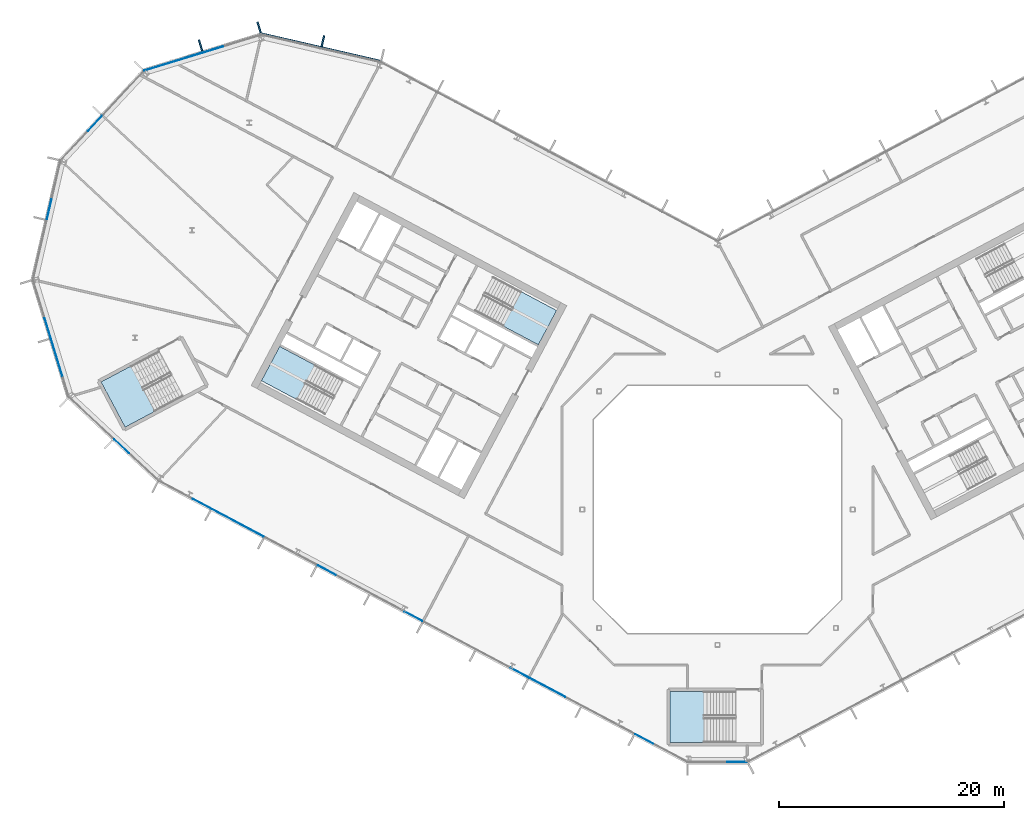
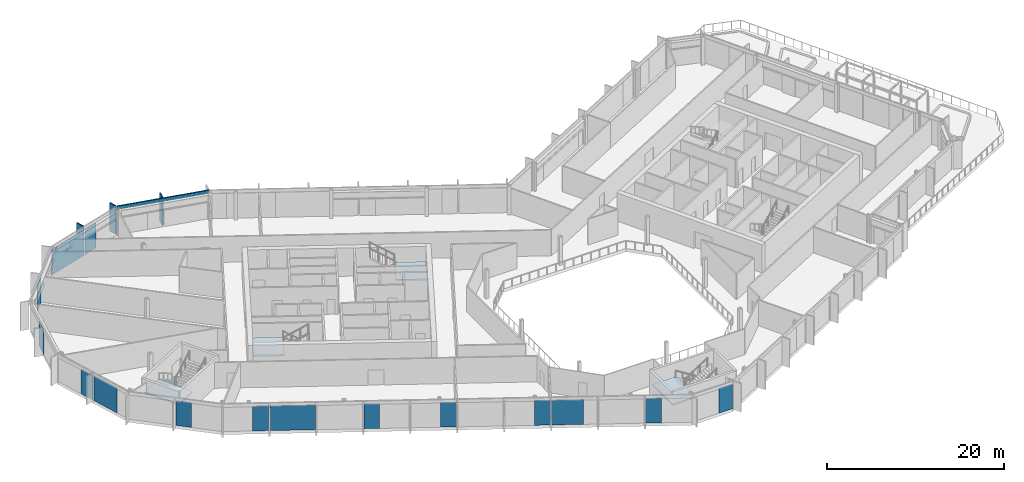
# One storey, part 13 of 31: 15 plates, 4 members, 4 slabs, 12 elements without a shape of their own.
"""IFC4 building model written with IfcOpenShell, lengths in metres."""

from ifc_helpers import new_model, si_unit, direction, frame, origin, origin_2d, place, context, subcontext, project, spatial, polyline, rectangle, outline, extrude, material, layer, layer_set, material_profile, profile_set, type_object, element, aggregate, save


model = new_model("IFC4")

# Units and contexts
model_context = context("Model", 3, precision=1e-05, world=origin(), true_north=direction((0.0, 1.0)))
body_context = subcontext(model_context, "Body", "Model", "MODEL_VIEW")
ifc_project = project(units=[si_unit("LENGTHUNIT", "METRE"), si_unit("AREAUNIT", "SQUARE_METRE"), si_unit("VOLUMEUNIT", "CUBIC_METRE"), si_unit("PLANEANGLEUNIT", "RADIAN"), si_unit("MASSUNIT", "GRAM", prefix="KILO")], contexts=[model_context])

# Site, building, storey
site_placement = place(None, origin())
site = spatial("IfcSite", under=ifc_project, at=site_placement, CompositionType="ELEMENT")
building_placement = place(site_placement, origin())
building = spatial("IfcBuilding", under=site, at=building_placement, Name="Cormorant Relay Tower", CompositionType="ELEMENT")
storey_placement = place(building_placement, frame((0.0, 0.0, 189.60009765625)))
storey = spatial("IfcBuildingStorey", under=building, at=storey_placement, Name="L40", CompositionType="ELEMENT", Elevation=189.60009765625)

# Curtain wall, member
ifc_material_1 = material(Name="Aluminium 6063-T6 anodised bronze", Category="aluminium")
ifc_layer_1 = layer(ifc_material_1, 0.199951171875)
ifc_layer_set_1 = layer_set([ifc_layer_1], Name="CW1 unitised bronze curtain wall with vertical fins")
curtain_wall_type = type_object("IfcCurtainWallType", Name="CW1 unitised bronze curtain wall with vertical fins", PredefinedType="NOTDEFINED", material=ifc_layer_set_1)
curtain_wall_1_placement = place(storey_placement, origin())
curtain_wall_1 = element("IfcCurtainWall", 1, at=curtain_wall_1_placement, inside=storey, type_object=curtain_wall_type, Name="CW1 curtain wall 10", PredefinedType="NOTDEFINED")
ifc_material_2 = material(Name="Aluminium 6063-T6 anodised bronze", Category="aluminium")
ifc_material_profile_1 = material_profile(ifc_material_2, rectangle(XDim=0.14990234375, YDim=1.0, at=origin_2d()), Name="AL 150x1000")
ifc_profile_set_1 = profile_set([ifc_material_profile_1], Name="Aluminium 6063-T6 anodised bronze")
member_type_1 = type_object("IfcMemberType", Name="CW1 bronze fin mullion 150 x 1000", PredefinedType="MULLION", material=ifc_profile_set_1)
member_1_placement = place(storey_placement, frame((-35.01220703125, 41.57275390625, 0.0), z_axis=(0.0, 0.0, 1.0), x_axis=(-0.974370064785, 0.224951054344, 0.0)))
member_1 = element("IfcMember", 2, at=member_1_placement, type_object=member_type_1, Name="CW1 fin 10.2", PredefinedType="MULLION", context=body_context, shape_type="SweptSolid", body=[
    extrude(rectangle(XDim=0.14990234375, YDim=1.0, at=origin_2d()), origin(), (0.0, 0.0, 1.0), 3.89990234375),
])

# Curtain wall, members
curtain_wall_2_placement = place(storey_placement, origin())
curtain_wall_2 = element("IfcCurtainWall", 3, at=curtain_wall_2_placement, inside=storey, type_object=curtain_wall_type, Name="CW1 curtain wall 11", PredefinedType="NOTDEFINED")
member_2_placement = place(storey_placement, frame((-40.670166015625, 42.78271484375, 0.0), z_axis=(0.0, 0.0, 1.0), x_axis=(-0.956304755963, -0.292371704723, 0.0)))
member_2 = element("IfcMember", 4, at=member_2_placement, type_object=member_type_1, Name="CW1 fin 11.1", PredefinedType="MULLION", context=body_context, shape_type="SweptSolid", body=[
    extrude(rectangle(XDim=0.14990234375, YDim=1.0, at=origin_2d()), origin(), (0.0, 0.0, 1.0), 3.89990234375),
])
member_3_placement = place(storey_placement, frame((-45.867919921875, 41.193603515625, 0.0), z_axis=(0.0, 0.0, 1.0), x_axis=(-0.956304755963, -0.292371704723, 0.0)))
member_3 = element("IfcMember", 5, at=member_3_placement, type_object=member_type_1, Name="CW1 fin 11.2", PredefinedType="MULLION", context=body_context, shape_type="SweptSolid", body=[
    extrude(rectangle(XDim=0.14990234375, YDim=1.0, at=origin_2d()), origin(), (0.0, 0.0, 1.0), 3.89990234375),
])

# Member
ifc_material_3 = material(Name="Aluminium 6063-T6 anodised bronze", Category="aluminium")
ifc_material_profile_2 = material_profile(ifc_material_3, rectangle(XDim=0.159912109375, YDim=0.449951171875, at=origin_2d()), Name="AL 160x450")
ifc_profile_set_2 = profile_set([ifc_material_profile_2], Name="Aluminium 6063-T6 anodised bronze")
member_type_2 = type_object("IfcMemberType", Name="CW1 bronze transom 160 x 450", PredefinedType="USERDEFINED", material=ifc_profile_set_2)
member_4_placement = place(storey_placement, frame((-29.8466796875, 39.784912109375, 3.6748046875), z_axis=(-0.974365070969, 0.224972683844, 0.0), x_axis=(-0.224972683844, -0.974365070969, 0.0)))
member_4 = element("IfcMember", 6, at=member_4_placement, type_object=member_type_2, Name="CW1 transom 10", ObjectType="TRANSOM", PredefinedType="USERDEFINED", context=body_context, shape_type="SweptSolid", body=[
    extrude(rectangle(XDim=0.159912109375, YDim=0.449951171875, at=origin_2d()), origin(), (0.0, 0.0, 1.0), 10.870361328125),
])

aggregate(curtain_wall_1, [member_1, member_4])

# Curtain wall, plate
curtain_wall_3_placement = place(storey_placement, origin())
curtain_wall_3 = element("IfcCurtainWall", 7, at=curtain_wall_3_placement, inside=storey, type_object=curtain_wall_type, Name="CW1 curtain wall 1", PredefinedType="NOTDEFINED")
ifc_material_4 = material(Name="Tinted laminated glass", Category="glass")
ifc_layer_2 = layer(ifc_material_4, 0.0400390625)
ifc_layer_set_2 = layer_set([ifc_layer_2], Name="CW1 tinted vision panel 1800 module")
plate_type_1 = type_object("IfcPlateType", Name="CW1 tinted vision panel 1800 module", PredefinedType="CURTAIN_PANEL", material=ifc_layer_set_2)
plate_1_placement = place(storey_placement, frame((1.748779296875, -22.3955078125, 0.0), z_axis=(0.0, 0.0, 1.0), x_axis=(1.0, 0.0, 0.0)))
plate_1 = element("IfcPlate", 8, at=plate_1_placement, type_object=plate_type_1, Name="CW1 panel V01", PredefinedType="CURTAIN_PANEL", context=body_context, shape_type="SweptSolid", body=[
    extrude(rectangle(XDim=1.800048828125, YDim=0.0400390625, at=origin_2d()), origin(), (0.0, 0.0, 1.0), 3.449951171875),
])
aggregate(curtain_wall_3, [plate_1])

# Plate
plate_2_placement = place(storey_placement, frame((-44.73681640625, 40.82861328125, 0.0), z_axis=(0.0, 0.0, 1.0), x_axis=(-0.956304755963, -0.292371704723, 0.0)))
plate_2 = element("IfcPlate", 9, at=plate_2_placement, type_object=plate_type_1, Name="CW1 panel V01", PredefinedType="CURTAIN_PANEL", context=body_context, shape_type="SweptSolid", body=[
    extrude(rectangle(XDim=1.800048828125, YDim=0.0400390625, at=origin_2d()), origin(), (0.0, 0.0, 1.0), 3.449951171875),
])

# Curtain wall, plate
curtain_wall_4_placement = place(storey_placement, origin())
curtain_wall_4 = element("IfcCurtainWall", 10, at=curtain_wall_4_placement, inside=storey, type_object=curtain_wall_type, Name="CW1 curtain wall 12", PredefinedType="NOTDEFINED")
plate_3_placement = place(storey_placement, frame((-55.247314453125, 34.2607421875, 0.0), z_axis=(0.0, 0.0, 1.0), x_axis=(-0.681998360062, -0.731353701619, 0.0)))
plate_3 = element("IfcPlate", 11, at=plate_3_placement, type_object=plate_type_1, Name="CW1 panel V01", PredefinedType="CURTAIN_PANEL", context=body_context, shape_type="SweptSolid", body=[
    extrude(rectangle(XDim=1.800048828125, YDim=0.0400390625, at=origin_2d()), origin(), (0.0, 0.0, 1.0), 3.449951171875),
])
aggregate(curtain_wall_4, [plate_3])

curtain_wall_5_placement = place(storey_placement, origin())
curtain_wall_5 = element("IfcCurtainWall", 12, at=curtain_wall_5_placement, inside=storey, type_object=curtain_wall_type, Name="CW1 curtain wall 13", PredefinedType="NOTDEFINED")
plate_4_placement = place(storey_placement, frame((-59.29736328125, 26.643798828125, 0.0), z_axis=(0.0, 0.0, 1.0), x_axis=(-0.224951054344, -0.974370064785, 0.0)))
plate_4 = element("IfcPlate", 13, at=plate_4_placement, type_object=plate_type_1, Name="CW1 panel V01", PredefinedType="CURTAIN_PANEL", context=body_context, shape_type="SweptSolid", body=[
    extrude(rectangle(XDim=1.800048828125, YDim=0.0400390625, at=origin_2d()), origin(), (0.0, 0.0, 1.0), 3.449951171875),
])
aggregate(curtain_wall_5, [plate_4])

curtain_wall_6_placement = place(storey_placement, origin())
curtain_wall_6 = element("IfcCurtainWall", 14, at=curtain_wall_6_placement, inside=storey, type_object=curtain_wall_type, Name="CW1 curtain wall 14", PredefinedType="NOTDEFINED")
plate_5_placement = place(storey_placement, frame((-59.434814453125, 16.122314453125, 0.0), z_axis=(0.0, 0.0, 1.0), x_axis=(0.292371704723, -0.956304755963, 0.0)))
plate_5 = element("IfcPlate", 15, at=plate_5_placement, type_object=plate_type_1, Name="CW1 panel V01", PredefinedType="CURTAIN_PANEL", context=body_context, shape_type="SweptSolid", body=[
    extrude(rectangle(XDim=1.800048828125, YDim=0.0400390625, at=origin_2d()), origin(), (0.0, 0.0, 1.0), 3.449951171875),
])

curtain_wall_7_placement = place(storey_placement, origin())
curtain_wall_7 = element("IfcCurtainWall", 16, at=curtain_wall_7_placement, inside=storey, type_object=curtain_wall_type, Name="CW1 curtain wall 15", PredefinedType="NOTDEFINED")
plate_6_placement = place(storey_placement, frame((-52.8671875, 5.611572265625, 0.0), z_axis=(0.0, 0.0, 1.0), x_axis=(0.731353701619, -0.681998360062, 0.0)))
plate_6 = element("IfcPlate", 17, at=plate_6_placement, type_object=plate_type_1, Name="CW1 panel V01", PredefinedType="CURTAIN_PANEL", context=body_context, shape_type="SweptSolid", body=[
    extrude(rectangle(XDim=1.800048828125, YDim=0.0400390625, at=origin_2d()), origin(), (0.0, 0.0, 1.0), 3.449951171875),
])
aggregate(curtain_wall_7, [plate_6])

# Curtain wall, plates
curtain_wall_8_placement = place(storey_placement, origin())
curtain_wall_8 = element("IfcCurtainWall", 18, at=curtain_wall_8_placement, inside=storey, type_object=curtain_wall_type, Name="CW1 curtain wall 16", PredefinedType="NOTDEFINED")
plate_7_placement = place(storey_placement, frame((-45.767578125, 0.5283203125, 0.0), z_axis=(0.0, 0.0, 1.0), x_axis=(0.882947592859, -0.469471562786, 0.0)))
plate_7 = element("IfcPlate", 19, at=plate_7_placement, type_object=plate_type_1, Name="CW1 panel V01", PredefinedType="CURTAIN_PANEL", context=body_context, shape_type="SweptSolid", body=[
    extrude(rectangle(XDim=1.800048828125, YDim=0.0400390625, at=origin_2d()), origin(), (0.0, 0.0, 1.0), 3.449951171875),
])
plate_8_placement = place(storey_placement, frame((-34.6572265625, -5.37890625, 0.0), z_axis=(0.0, 0.0, 1.0), x_axis=(0.882947592859, -0.469471562786, 0.0)))
plate_8 = element("IfcPlate", 20, at=plate_8_placement, type_object=plate_type_1, Name="CW1 panel V04", PredefinedType="CURTAIN_PANEL", context=body_context, shape_type="SweptSolid", body=[
    extrude(rectangle(XDim=1.800048828125, YDim=0.0400390625, at=origin_2d()), origin(), (0.0, 0.0, 1.0), 3.449951171875),
])
plate_9_placement = place(storey_placement, frame((-26.990478515625, -9.45556640625, 0.0), z_axis=(0.0, 0.0, 1.0), x_axis=(0.882947592859, -0.469471562786, 0.0)))
plate_9 = element("IfcPlate", 21, at=plate_9_placement, type_object=plate_type_1, Name="CW1 panel V06", PredefinedType="CURTAIN_PANEL", context=body_context, shape_type="SweptSolid", body=[
    extrude(rectangle(XDim=1.800048828125, YDim=0.0400390625, at=origin_2d()), origin(), (0.0, 0.0, 1.0), 3.449951171875),
])
plate_10_placement = place(storey_placement, frame((-17.601806640625, -14.447509765625, 0.0), z_axis=(0.0, 0.0, 1.0), x_axis=(0.882947592859, -0.469471562786, 0.0)))
plate_10 = element("IfcPlate", 22, at=plate_10_placement, type_object=plate_type_1, Name="CW1 panel V08", PredefinedType="CURTAIN_PANEL", context=body_context, shape_type="SweptSolid", body=[
    extrude(rectangle(XDim=1.800048828125, YDim=0.0400390625, at=origin_2d()), origin(), (0.0, 0.0, 1.0), 3.449951171875),
])
plate_11_placement = place(storey_placement, frame((-6.49169921875, -20.35498046875, 0.0), z_axis=(0.0, 0.0, 1.0), x_axis=(0.882947592859, -0.469471562786, 0.0)))
plate_11 = element("IfcPlate", 23, at=plate_11_placement, type_object=plate_type_1, Name="CW1 panel V11", PredefinedType="CURTAIN_PANEL", context=body_context, shape_type="SweptSolid", body=[
    extrude(rectangle(XDim=1.800048828125, YDim=0.0400390625, at=origin_2d()), origin(), (0.0, 0.0, 1.0), 3.449951171875),
])

# Plate
ifc_material_5 = material(Name="Tinted laminated glass", Category="glass")
ifc_layer_3 = layer(ifc_material_5, 0.0400390625)
ifc_layer_set_3 = layer_set([ifc_layer_3], Name="CW1 tinted vision panel 3600 module")
plate_type_2 = type_object("IfcPlateType", Name="CW1 tinted vision panel 3600 module", PredefinedType="CURTAIN_PANEL", material=ifc_layer_set_3)
plate_12_placement = place(storey_placement, frame((-58.601806640625, 13.396728515625, 0.0), z_axis=(0.0, 0.0, 1.0), x_axis=(0.292371704723, -0.956304755963, 0.0)))
plate_12 = element("IfcPlate", 24, at=plate_12_placement, type_object=plate_type_2, Name="CW1 panel V02", PredefinedType="CURTAIN_PANEL", context=body_context, shape_type="SweptSolid", body=[
    extrude(rectangle(XDim=3.60009765625, YDim=0.0400390625, at=origin_2d()), origin(), (0.0, 0.0, 1.0), 3.449951171875),
])

aggregate(curtain_wall_6, [plate_5, plate_12])

plate_13_placement = place(storey_placement, frame((-15.08544921875, -15.785400390625, 0.0), z_axis=(0.0, 0.0, 1.0), x_axis=(0.882947592859, -0.469471562786, 0.0)))
plate_13 = element("IfcPlate", 25, at=plate_13_placement, type_object=plate_type_2, Name="CW1 panel V09", PredefinedType="CURTAIN_PANEL", context=body_context, shape_type="SweptSolid", body=[
    extrude(rectangle(XDim=3.60009765625, YDim=0.0400390625, at=origin_2d()), origin(), (0.0, 0.0, 1.0), 3.449951171875),
])

ifc_material_6 = material(Name="Tinted laminated glass", Category="glass")
ifc_layer_4 = layer(ifc_material_6, 0.0400390625)
ifc_layer_set_4 = layer_set([ifc_layer_4], Name="CW1 tinted vision panel 5400 module")
plate_type_3 = type_object("IfcPlateType", Name="CW1 tinted vision panel 5400 module", PredefinedType="CURTAIN_PANEL", material=ifc_layer_set_4)
plate_14_placement = place(storey_placement, frame((-48.3037109375, 39.73779296875, 0.0), z_axis=(0.0, 0.0, 1.0), x_axis=(-0.956304755963, -0.292371704723, 0.0)))
plate_14 = element("IfcPlate", 26, at=plate_14_placement, type_object=plate_type_3, Name="CW1 panel V02", PredefinedType="CURTAIN_PANEL", context=body_context, shape_type="SweptSolid", body=[
    extrude(rectangle(XDim=5.360107421875, YDim=0.0400390625, at=origin_2d()), origin(), (0.0, 0.0, 1.0), 3.449951171875),
])

aggregate(curtain_wall_2, [member_2, member_3, plate_2, plate_14])

plate_15_placement = place(storey_placement, frame((-42.5595703125, -1.17724609375, 0.0), z_axis=(0.0, 0.0, 1.0), x_axis=(0.882947592859, -0.469471562786, 0.0)))
plate_15 = element("IfcPlate", 27, at=plate_15_placement, type_object=plate_type_3, Name="CW1 panel V02", PredefinedType="CURTAIN_PANEL", context=body_context, shape_type="SweptSolid", body=[
    extrude(rectangle(XDim=5.16650390625, YDim=0.0400390625, at=origin_2d()), origin(), (0.0, 0.0, 1.0), 3.449951171875),
])

aggregate(curtain_wall_8, [plate_7, plate_15, plate_8, plate_9, plate_10, plate_13, plate_11])

# Stair, slab
ifc_material_7 = material(Name="Concrete 40 MPa", Category="concrete")
stair_type_1 = type_object("IfcStairType", Name="Exit stair 1500", PredefinedType="HALF_TURN_STAIR", material=ifc_material_7)
stair_1_placement = place(storey_placement, origin())
stair_1 = element("IfcStair", 28, at=stair_1_placement, inside=storey, type_object=stair_type_1, Name="L40 Stair", PredefinedType="HALF_TURN_STAIR")
ifc_material_8 = material(Name="Concrete 40 MPa", Category="concrete")
ifc_layer_5 = layer(ifc_material_8, 0.199951171875)
ifc_layer_set_5 = layer_set([ifc_layer_5], Name="Exit stair landing 200")
slab_type = type_object("IfcSlabType", Name="Exit stair landing 200", PredefinedType="LANDING", material=ifc_layer_set_5)
slab_1_placement = place(storey_placement, frame((0.0, 0.0, 1.75)))
slab_1 = element("IfcSlab", 29, at=slab_1_placement, type_object=slab_type, Name="A1 landing 1", PredefinedType="LANDING", context=body_context, shape_type="SweptSolid", body=[
    extrude(outline(polyline([(-19.029541015625, 16.29052734375), (-15.89501953125, 14.6240234375), (-14.275390625, 17.670166015625), (-17.40966796875, 19.3369140625), (-19.029541015625, 16.29052734375)])), origin(), (0.0, 0.0, 1.0), 0.199951171875),
])
aggregate(stair_1, [slab_1])

stair_2_placement = place(storey_placement, origin())
stair_2 = element("IfcStair", 30, at=stair_2_placement, inside=storey, type_object=stair_type_1, Name="L40 Stair", PredefinedType="HALF_TURN_STAIR")
slab_2_placement = place(storey_placement, frame((0.0, 0.0, 1.75)))
slab_2 = element("IfcSlab", 31, at=slab_2_placement, type_object=slab_type, Name="A2 landing 1", PredefinedType="LANDING", context=body_context, shape_type="SweptSolid", body=[
    extrude(outline(polyline([(-35.71337890625, 12.816650390625), (-38.84765625, 14.483154296875), (-40.467529296875, 11.43701171875), (-37.3330078125, 9.7705078125), (-35.71337890625, 12.816650390625)])), origin(), (0.0, 0.0, 1.0), 0.199951171875),
])
aggregate(stair_2, [slab_2])

ifc_material_9 = material(Name="Concrete 40 MPa", Category="concrete")
stair_type_2 = type_object("IfcStairType", Name="Remote exit stair 2200", PredefinedType="HALF_TURN_STAIR", material=ifc_material_9)
stair_3_placement = place(storey_placement, origin())
stair_3 = element("IfcStair", 32, at=stair_3_placement, inside=storey, type_object=stair_type_2, Name="L40 Stair", PredefinedType="HALF_TURN_STAIR")
slab_3_placement = place(storey_placement, frame((0.0, 0.0, 1.75)))
slab_3 = element("IfcSlab", 33, at=slab_3_placement, type_object=slab_type, Name="RK1 landing 1", PredefinedType="LANDING", context=body_context, shape_type="SweptSolid", body=[
    extrude(outline(polyline([(-1.199951171875, -16.125), (-4.199951171875, -16.125), (-4.199951171875, -20.675048828125), (-1.199951171875, -20.675048828125), (-1.199951171875, -16.125)])), origin(), (0.0, 0.0, 1.0), 0.199951171875),
])
aggregate(stair_3, [slab_3])

stair_4_placement = place(storey_placement, origin())
stair_4 = element("IfcStair", 34, at=stair_4_placement, inside=storey, type_object=stair_type_2, Name="L40 Stair", PredefinedType="HALF_TURN_STAIR")
slab_4_placement = place(storey_placement, frame((0.0, 0.0, 1.75)))
slab_4 = element("IfcSlab", 35, at=slab_4_placement, type_object=slab_type, Name="RP1 landing 1", PredefinedType="LANDING", context=body_context, shape_type="SweptSolid", body=[
    extrude(outline(polyline([(-52.051025390625, 12.7392578125), (-54.699951171875, 11.330810546875), (-52.563720703125, 7.3134765625), (-49.914794921875, 8.721923828125), (-52.051025390625, 12.7392578125)])), origin(), (0.0, 0.0, 1.0), 0.199951171875),
])
aggregate(stair_4, [slab_4])

save(model, "model.ifc")
